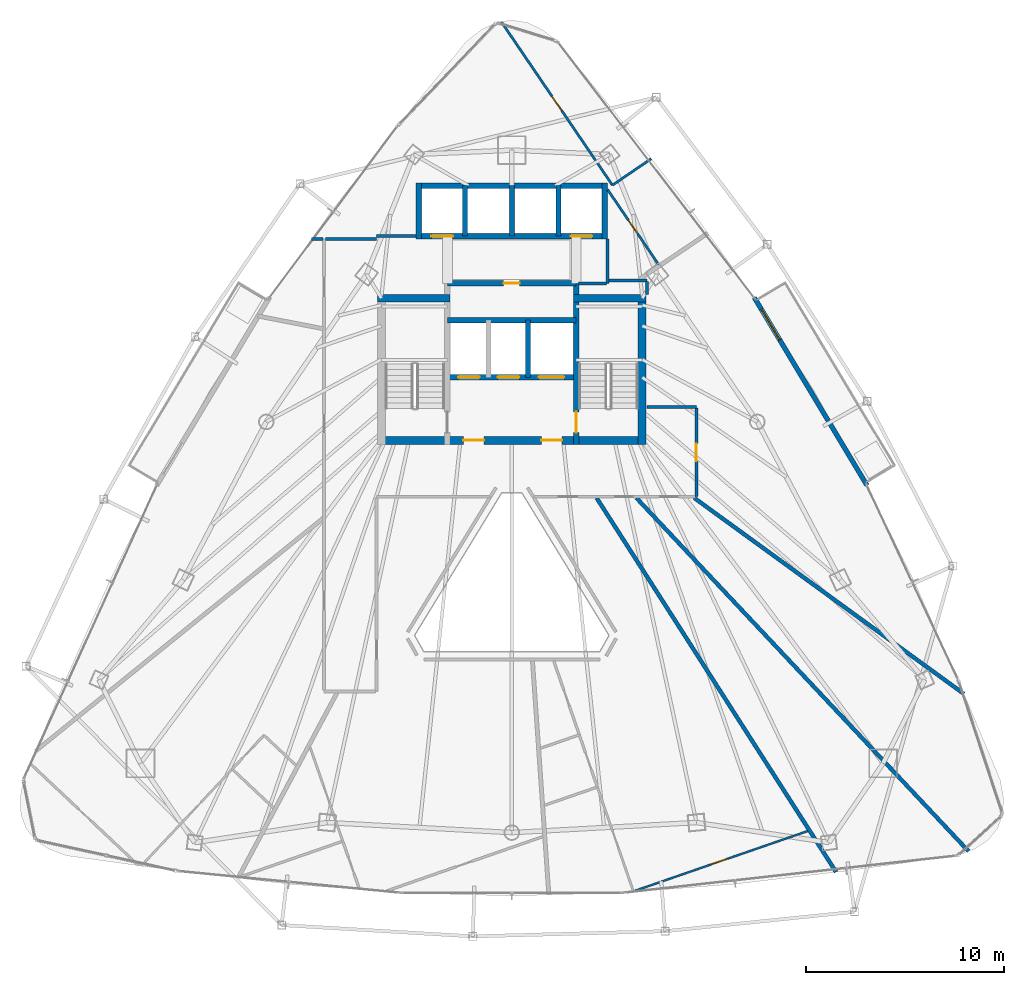
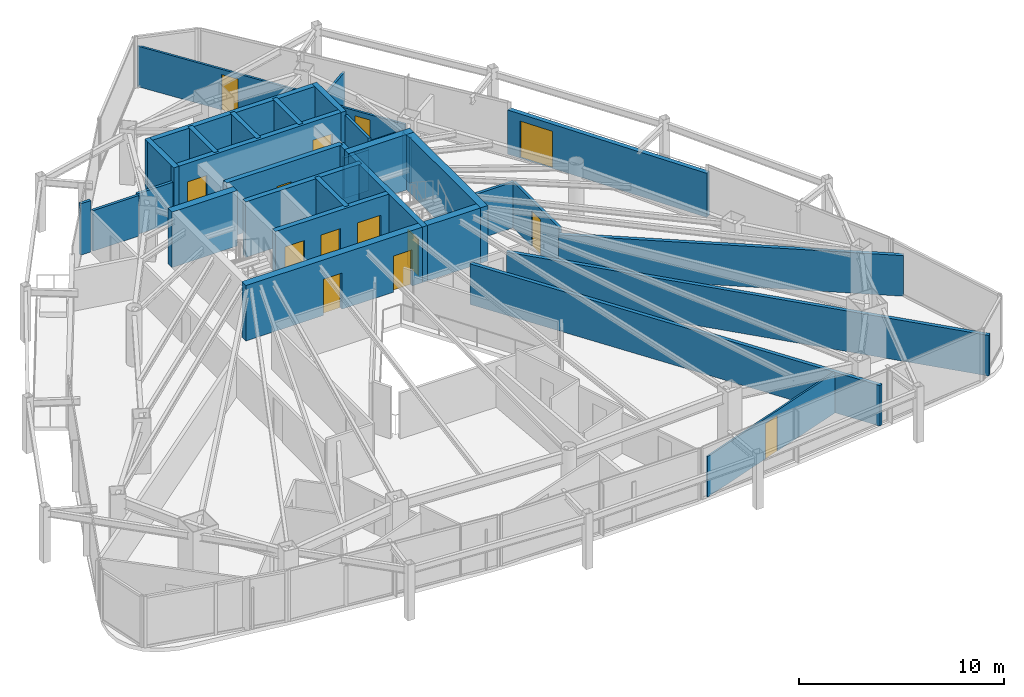
# One storey, part 25 of 29: 33 walls, 14 doors, 14 openings.
"""IFC4 building model written with IfcOpenShell, lengths in metres."""

from ifc_helpers import new_model, si_unit, direction, frame, frame_2d, origin, place, context, subcontext, project, spatial, rectangle, extrude, material, layer, layer_set, type_object, element, fill, save


model = new_model("IFC4")

# Units and contexts
model_context = context("Model", 3, precision=1e-05, world=origin(), true_north=direction((0.0, 1.0)))
body_context = subcontext(model_context, "Body", "Model", "MODEL_VIEW")
ifc_project = project(units=[si_unit("LENGTHUNIT", "METRE"), si_unit("AREAUNIT", "SQUARE_METRE"), si_unit("VOLUMEUNIT", "CUBIC_METRE"), si_unit("PLANEANGLEUNIT", "RADIAN"), si_unit("MASSUNIT", "GRAM", prefix="KILO")], contexts=[model_context])

# Site, building, storey
site_placement = place(None, origin())
site = spatial("IfcSite", under=ifc_project, at=site_placement, CompositionType="ELEMENT")
building_placement = place(site_placement, origin())
building = spatial("IfcBuilding", under=site, at=building_placement, Name="Orvanel Arch Residences", CompositionType="ELEMENT")
storey_placement = place(building_placement, frame((0.0, 0.0, 163.85009765625)))
storey = spatial("IfcBuildingStorey", under=building, at=storey_placement, Name="L46", CompositionType="ELEMENT", Elevation=163.85009765625)

# Wall, opening, door
ifc_material_1 = material(Name="Precast concrete N50 (50 MPa)", Category="concrete")
ifc_layer_1 = layer(ifc_material_1, 0.239990234375)
ifc_layer_set_1 = layer_set([ifc_layer_1], Name="Precast concrete N50 (50 MPa)")
wall_type_1 = type_object("IfcWallType", Name="EW-BAL-240", PredefinedType="SOLIDWALL", material=ifc_layer_set_1)
wall_1_placement = place(storey_placement, frame((50.987060546875, 24.4208984375, 0.0), z_axis=(0.0, 0.0, 1.0), x_axis=(-0.514334017412, 0.85758994778, 0.0)))
wall_1 = element("IfcWall", 1, at=wall_1_placement, inside=storey, type_object=wall_type_1, Name="L46 Balcony Threshold Wall Face 3", PredefinedType="SOLIDWALL", context=body_context, shape_type="SweptSolid", body=[
    extrude(rectangle(XDim=11.099853515625, YDim=0.239990234375, at=frame_2d((5.5498046875, 0.0))), origin(), (0.0, 0.0, 1.0), 2.6240234375),
])
opening_1_placement = place(wall_1_placement, frame((8.60205078125, 0.0, 0.0)))
opening_1 = element("IfcOpeningElement", 2, at=opening_1_placement, cuts=wall_1, Name="Opening DB-180", PredefinedType="OPENING", context=body_context, shape_type="SweptSolid", body=[
    extrude(rectangle(XDim=1.800048828125, YDim=2.199951171875, at=frame_2d((0.89990234375, 1.10009765625))), frame((0.0, 0.1298828125, 0.0), z_axis=(0.0, -1.0, 0.0), x_axis=(1.0, 0.0, 0.0)), (0.0, 0.0, 1.0), 0.260009765625),
])
ifc_material_2 = material(Name="Bronze-anodised aluminium AA6063-T6", Category="aluminium")
door_type_1 = type_object("IfcDoorType", Name="DR-BAL-1800", OperationType="NOTDEFINED", PredefinedType="DOOR", material=ifc_material_2)
door_1_placement = place(opening_1_placement, origin())
door_1 = element("IfcDoor", 3, at=door_1_placement, inside=storey, type_object=door_type_1, Name="DR-L46-BAL-F3 L46 Planted Balcony Access Door Face 3", OperationType="SINGLE_SWING_RIGHT", OverallHeight=2.199951171875, OverallWidth=1.800048828125, PredefinedType="DOOR", context=body_context, shape_type="SweptSolid", body=[
    extrude(rectangle(XDim=1.800048828125, YDim=2.199951171875, at=frame_2d((0.89990234375, 1.10009765625))), frame((0.0, 0.02490234375, 0.0), z_axis=(0.0, -1.0, 0.0), x_axis=(1.0, 0.0, 0.0)), (0.0, 0.0, 1.0), 0.050048828125),
])
fill(opening_1, door_1)

# Walls
ifc_material_3 = material(Name="Concrete N50 (50 MPa)", Category="concrete")
ifc_layer_2 = layer(ifc_material_3, 0.25)
ifc_layer_set_2 = layer_set([ifc_layer_2], Name="Concrete N50 (50 MPa)")
wall_type_2 = type_object("IfcWallType", Name="SW-CORE-250", PredefinedType="SHEAR", material=ifc_layer_set_2)
wall_2_placement = place(storey_placement, frame((33.824951171875, 29.889892578125, 0.0), z_axis=(0.0, 0.0, 1.0), x_axis=(0.0, 1.0, 0.0)))
element("IfcWall", 4, at=wall_2_placement, inside=storey, type_object=wall_type_2, Name="L46 Emergency Lift Inter-Shaft Wall F2G", PredefinedType="SHEAR", context=body_context, shape_type="SweptSolid", body=[
    extrude(rectangle(XDim=2.900146484375, YDim=0.25, at=frame_2d((1.4501953125, 0.0))), origin(), (0.0, 0.0, 1.0), 3.2998046875),
])
for number, where, z_axis, x_axis, name in (
    (5, (30.625, 37.050048828125, 0.0), (0.0, 0.0, 1.0), (0.0, 1.0, 0.0), "L46 Passenger Lift Inter-Shaft Wall P35"),
    (6, (33.0, 37.050048828125, 0.0), (0.0, 0.0, 1.0), (0.0, 1.0, 0.0), "L46 Passenger Lift Inter-Shaft Wall P56"),
    (7, (35.375, 37.050048828125, 0.0), (0.0, 0.0, 1.0), (0.0, 1.0, 0.0), "L46 Passenger Lift Inter-Shaft Wall P64"),
):
    element("IfcWall", number, at=place(storey_placement, frame(where, z_axis=z_axis, x_axis=x_axis)), inside=storey, type_object=wall_type_2, Name=name, PredefinedType="SHEAR", context=body_context, shape_type="SweptSolid", body=[
        extrude(rectangle(XDim=2.550048828125, YDim=0.25, at=frame_2d((1.27490234375, 0.0))), origin(), (0.0, 0.0, 1.0), 3.2998046875),
    ])

# Wall, opening, door
ifc_material_4 = material(Name="Concrete S65 (65 MPa)", Category="concrete")
ifc_layer_3 = layer(ifc_material_4, 0.280029296875)
ifc_layer_set_3 = layer_set([ifc_layer_3], Name="Concrete S65 (65 MPa)")
wall_type_3 = type_object("IfcWallType", Name="SW-CORE-280", PredefinedType="SHEAR", material=ifc_layer_set_3)
wall_3_placement = place(storey_placement, frame((36.260009765625, 26.5, 0.0), z_axis=(0.0, 0.0, 1.0), x_axis=(0.0, 1.0, 0.0)))
wall_3 = element("IfcWall", 8, at=wall_3_placement, inside=storey, type_object=wall_type_3, Name="L46 East Inner Core Spine Shear Wall", PredefinedType="SHEAR", context=body_context, shape_type="SweptSolid", body=[
    extrude(rectangle(XDim=8.14990234375, YDim=0.280029296875, at=frame_2d((4.074951171875, 0.0))), origin(), (0.0, 0.0, 1.0), 3.2998046875),
])
opening_2_placement = place(wall_3_placement, frame((0.60009765625, 0.0, 0.0)))
opening_2 = element("IfcOpeningElement", 9, at=opening_2_placement, cuts=wall_3, Name="Opening DF-120", PredefinedType="OPENING", context=body_context, shape_type="SweptSolid", body=[
    extrude(rectangle(XDim=1.050048828125, YDim=2.14990234375, at=frame_2d((0.52490234375, 1.074951171875))), frame((0.0, 0.14990234375, 0.0), z_axis=(0.0, -1.0, 0.0), x_axis=(1.0, 0.0, 0.0)), (0.0, 0.0, 1.0), 0.300048828125),
])
ifc_material_5 = material(Name="Galvanised steel fire-resisting door assembly", Category="steel")
door_type_2 = type_object("IfcDoorType", Name="DR-FD120-1050", OperationType="NOTDEFINED", PredefinedType="DOOR", material=ifc_material_5)
door_2_placement = place(opening_2_placement, origin())
door_2 = element("IfcDoor", 10, at=door_2_placement, inside=storey, type_object=door_type_2, Name="DR-L46-ST2 L46 Stair 2 Fire Door", OperationType="SINGLE_SWING_RIGHT", OverallHeight=2.14990234375, OverallWidth=1.050048828125, PredefinedType="DOOR", context=body_context, shape_type="SweptSolid", body=[
    extrude(rectangle(XDim=1.050048828125, YDim=2.14990234375, at=frame_2d((0.52490234375, 1.074951171875))), frame((0.0, 0.02490234375, 0.0), z_axis=(0.0, -1.0, 0.0), x_axis=(1.0, 0.0, 0.0)), (0.0, 0.0, 1.0), 0.050048828125),
])
fill(opening_2, door_2)

# Wall, openings, doors
wall_4_placement = place(storey_placement, frame((36.260009765625, 29.889892578125, 0.0), z_axis=(0.0, 0.0, 1.0), x_axis=(-1.0, 0.0, 0.0)))
wall_4 = element("IfcWall", 11, at=wall_4_placement, inside=storey, type_object=wall_type_3, Name="L46 Emergency Lift Front Core Shear Wall", PredefinedType="SHEAR", context=body_context, shape_type="SweptSolid", body=[
    extrude(rectangle(XDim=6.52001953125, YDim=0.280029296875, at=frame_2d((3.260009765625, 0.0))), origin(), (0.0, 0.0, 1.0), 3.2998046875),
])
opening_3_placement = place(wall_4_placement, frame((4.875, 0.0, 0.0)))
opening_3 = element("IfcOpeningElement", 12, at=opening_3_placement, cuts=wall_4, Name="Opening LD-110", PredefinedType="OPENING", context=body_context, shape_type="SweptSolid", body=[
    extrude(rectangle(XDim=1.10009765625, YDim=2.199951171875, at=frame_2d((0.550048828125, 1.10009765625))), frame((0.0, 0.14990234375, 0.0), z_axis=(0.0, -1.0, 0.0), x_axis=(1.0, 0.0, 0.0)), (0.0, 0.0, 1.0), 0.300048828125),
])
opening_4_placement = place(wall_4_placement, frame((2.875, 0.0, 0.0)))
opening_4 = element("IfcOpeningElement", 13, at=opening_4_placement, cuts=wall_4, Name="Opening LD-110", PredefinedType="OPENING", context=body_context, shape_type="SweptSolid", body=[
    extrude(rectangle(XDim=1.10009765625, YDim=2.199951171875, at=frame_2d((0.550048828125, 1.10009765625))), frame((0.0, 0.14990234375, 0.0), z_axis=(0.0, -1.0, 0.0), x_axis=(1.0, 0.0, 0.0)), (0.0, 0.0, 1.0), 0.300048828125),
])
opening_5_placement = place(wall_4_placement, frame((0.60009765625, 0.0, 0.0)))
opening_5 = element("IfcOpeningElement", 14, at=opening_5_placement, cuts=wall_4, Name="Opening LD-130", PredefinedType="OPENING", context=body_context, shape_type="SweptSolid", body=[
    extrude(rectangle(XDim=1.300048828125, YDim=2.199951171875, at=frame_2d((0.64990234375, 1.10009765625))), frame((0.0, 0.14990234375, 0.0), z_axis=(0.0, -1.0, 0.0), x_axis=(1.0, 0.0, 0.0)), (0.0, 0.0, 1.0), 0.300048828125),
])
door_type_3 = type_object("IfcDoorType", Name="DR-LFT-1100", OperationType="NOTDEFINED", PredefinedType="DOOR", material=ifc_material_5)
door_3_placement = place(opening_3_placement, origin())
door_3 = element("IfcDoor", 15, at=door_3_placement, inside=storey, type_object=door_type_3, Name="LD-F1-L46 L46 Lift F1 Sliding Landing Door", OperationType="DOUBLE_DOOR_SLIDING", OverallHeight=2.199951171875, OverallWidth=1.10009765625, PredefinedType="DOOR", context=body_context, shape_type="SweptSolid", body=[
    extrude(rectangle(XDim=1.10009765625, YDim=2.199951171875, at=frame_2d((0.550048828125, 1.10009765625))), frame((0.0, 0.02490234375, 0.0), z_axis=(0.0, -1.0, 0.0), x_axis=(1.0, 0.0, 0.0)), (0.0, 0.0, 1.0), 0.050048828125),
])
fill(opening_3, door_3)
door_4_placement = place(opening_4_placement, origin())
door_4 = element("IfcDoor", 16, at=door_4_placement, inside=storey, type_object=door_type_3, Name="LD-F2-L46 L46 Lift F2 Sliding Landing Door", OperationType="DOUBLE_DOOR_SLIDING", OverallHeight=2.199951171875, OverallWidth=1.10009765625, PredefinedType="DOOR", context=body_context, shape_type="SweptSolid", body=[
    extrude(rectangle(XDim=1.10009765625, YDim=2.199951171875, at=frame_2d((0.550048828125, 1.10009765625))), frame((0.0, 0.02490234375, 0.0), z_axis=(0.0, -1.0, 0.0), x_axis=(1.0, 0.0, 0.0)), (0.0, 0.0, 1.0), 0.050048828125),
])
fill(opening_4, door_4)
door_type_4 = type_object("IfcDoorType", Name="DR-LFT-1300", OperationType="NOTDEFINED", PredefinedType="DOOR", material=ifc_material_5)
door_5_placement = place(opening_5_placement, origin())
door_5 = element("IfcDoor", 17, at=door_5_placement, inside=storey, type_object=door_type_4, Name="LD-G1-L46 L46 Lift G1 Sliding Landing Door", OperationType="DOUBLE_DOOR_SLIDING", OverallHeight=2.199951171875, OverallWidth=1.300048828125, PredefinedType="DOOR", context=body_context, shape_type="SweptSolid", body=[
    extrude(rectangle(XDim=1.300048828125, YDim=2.199951171875, at=frame_2d((0.64990234375, 1.10009765625))), frame((0.0, 0.02490234375, 0.0), z_axis=(0.0, -1.0, 0.0), x_axis=(1.0, 0.0, 0.0)), (0.0, 0.0, 1.0), 0.050048828125),
])
fill(opening_5, door_5)

# Wall
wall_5_placement = place(storey_placement, frame((29.739990234375, 32.7900390625, 0.0), z_axis=(0.0, 0.0, 1.0), x_axis=(1.0, 0.0, 0.0)))
element("IfcWall", 18, at=wall_5_placement, inside=storey, type_object=wall_type_3, Name="L46 Emergency Lift Back Core Shear Wall", PredefinedType="SHEAR", context=body_context, shape_type="SweptSolid", body=[
    extrude(rectangle(XDim=6.52001953125, YDim=0.280029296875, at=frame_2d((3.260009765625, 0.0))), origin(), (0.0, 0.0, 1.0), 3.2998046875),
])

# Wall, opening, door
wall_6_placement = place(storey_placement, frame((29.739990234375, 34.64990234375, 0.0), z_axis=(0.0, 0.0, 1.0), x_axis=(1.0, 0.0, 0.0)))
wall_6 = element("IfcWall", 19, at=wall_6_placement, inside=storey, type_object=wall_type_3, Name="L46 Core Service Band North Shear Wall", PredefinedType="SHEAR", context=body_context, shape_type="SweptSolid", body=[
    extrude(rectangle(XDim=6.52001953125, YDim=0.280029296875, at=frame_2d((3.260009765625, 0.0))), origin(), (0.0, 0.0, 1.0), 3.2998046875),
])
opening_6_placement = place(wall_6_placement, frame((2.840087890625, 0.0, 0.0)))
opening_6 = element("IfcOpeningElement", 20, at=opening_6_placement, cuts=wall_6, Name="Opening DS-082", PredefinedType="OPENING", context=body_context, shape_type="SweptSolid", body=[
    extrude(rectangle(XDim=0.820068359375, YDim=2.10009765625, at=frame_2d((0.41015625, 1.050048828125))), frame((0.0, 0.14990234375, 0.0), z_axis=(0.0, -1.0, 0.0), x_axis=(1.0, 0.0, 0.0)), (0.0, 0.0, 1.0), 0.300048828125),
])
door_type_5 = type_object("IfcDoorType", Name="DR-SVC-820", OperationType="NOTDEFINED", PredefinedType="DOOR", material=ifc_material_5)
door_6_placement = place(opening_6_placement, origin())
door_6 = element("IfcDoor", 21, at=door_6_placement, inside=storey, type_object=door_type_5, Name="DR-L46-CSVC-1 L46 Housekeeping Linen Store Door", OperationType="SINGLE_SWING_LEFT", OverallHeight=2.10009765625, OverallWidth=0.820068359375, PredefinedType="DOOR", context=body_context, shape_type="SweptSolid", body=[
    extrude(rectangle(XDim=0.820068359375, YDim=2.10009765625, at=frame_2d((0.41015625, 1.050048828125))), frame((0.0, 0.02490234375, 0.0), z_axis=(0.0, -1.0, 0.0), x_axis=(1.0, 0.0, 0.0)), (0.0, 0.0, 1.0), 0.050048828125),
])
fill(opening_6, door_6)

# Wall, openings, doors
wall_7_placement = place(storey_placement, frame((37.840087890625, 37.050048828125, 0.0), z_axis=(0.0, 0.0, 1.0), x_axis=(-1.0, 0.0, 0.0)))
wall_7 = element("IfcWall", 22, at=wall_7_placement, inside=storey, type_object=wall_type_3, Name="L46 Passenger Lift Bank Front Shear Wall", PredefinedType="SHEAR", context=body_context, shape_type="SweptSolid", body=[
    extrude(rectangle(XDim=9.68017578125, YDim=0.280029296875, at=frame_2d((4.840087890625, 0.0))), origin(), (0.0, 0.0, 1.0), 3.2998046875),
])
opening_7_placement = place(wall_7_placement, frame((7.81494140625, 0.0, 0.0)))
opening_7 = element("IfcOpeningElement", 23, at=opening_7_placement, cuts=wall_7, Name="Opening LD-110", PredefinedType="OPENING", context=body_context, shape_type="SweptSolid", body=[
    extrude(rectangle(XDim=1.10009765625, YDim=2.199951171875, at=frame_2d((0.550048828125, 1.10009765625))), frame((0.0, 0.14990234375, 0.0), z_axis=(0.0, -1.0, 0.0), x_axis=(1.0, 0.0, 0.0)), (0.0, 0.0, 1.0), 0.300048828125),
])
opening_8_placement = place(wall_7_placement, frame((0.764892578125, 0.0, 0.0)))
opening_8 = element("IfcOpeningElement", 24, at=opening_8_placement, cuts=wall_7, Name="Opening LD-110", PredefinedType="OPENING", context=body_context, shape_type="SweptSolid", body=[
    extrude(rectangle(XDim=1.10009765625, YDim=2.199951171875, at=frame_2d((0.550048828125, 1.10009765625))), frame((0.0, 0.14990234375, 0.0), z_axis=(0.0, -1.0, 0.0), x_axis=(1.0, 0.0, 0.0)), (0.0, 0.0, 1.0), 0.300048828125),
])
door_7_placement = place(opening_7_placement, origin())
door_7 = element("IfcDoor", 25, at=door_7_placement, inside=storey, type_object=door_type_3, Name="LD-P3-L46 L46 Passenger Lift P3 Sliding Landing Door", OperationType="DOUBLE_DOOR_SLIDING", OverallHeight=2.199951171875, OverallWidth=1.10009765625, PredefinedType="DOOR", context=body_context, shape_type="SweptSolid", body=[
    extrude(rectangle(XDim=1.10009765625, YDim=2.199951171875, at=frame_2d((0.550048828125, 1.10009765625))), frame((0.0, 0.02490234375, 0.0), z_axis=(0.0, -1.0, 0.0), x_axis=(1.0, 0.0, 0.0)), (0.0, 0.0, 1.0), 0.050048828125),
])
fill(opening_7, door_7)
door_8_placement = place(opening_8_placement, origin())
door_8 = element("IfcDoor", 26, at=door_8_placement, inside=storey, type_object=door_type_3, Name="LD-P4-L46 L46 Passenger Lift P4 Sliding Landing Door", OperationType="DOUBLE_DOOR_SLIDING", OverallHeight=2.199951171875, OverallWidth=1.10009765625, PredefinedType="DOOR", context=body_context, shape_type="SweptSolid", body=[
    extrude(rectangle(XDim=1.10009765625, YDim=2.199951171875, at=frame_2d((0.550048828125, 1.10009765625))), frame((0.0, 0.02490234375, 0.0), z_axis=(0.0, -1.0, 0.0), x_axis=(1.0, 0.0, 0.0)), (0.0, 0.0, 1.0), 0.050048828125),
])
fill(opening_8, door_8)

# Walls
wall_8_placement = place(storey_placement, frame((28.159912109375, 39.60009765625, 0.0), z_axis=(0.0, 0.0, 1.0), x_axis=(1.0, 0.0, 0.0)))
element("IfcWall", 27, at=wall_8_placement, inside=storey, type_object=wall_type_3, Name="L46 Passenger Lift Bank North Shear Wall", PredefinedType="SHEAR", context=body_context, shape_type="SweptSolid", body=[
    extrude(rectangle(XDim=9.68017578125, YDim=0.280029296875, at=frame_2d((4.840087890625, 0.0))), origin(), (0.0, 0.0, 1.0), 3.2998046875),
])
for number, where, z_axis, x_axis, name in (
    (28, (28.300048828125, 36.909912109375, 0.0), (0.0, 0.0, 1.0), (0.0, 1.0, 0.0), "L46 Passenger Lift Bank West Shear Wall"),
    (29, (37.699951171875, 36.909912109375, 0.0), (0.0, 0.0, 1.0), (0.0, 1.0, 0.0), "L46 Passenger Lift Bank East Shear Wall"),
):
    element("IfcWall", number, at=place(storey_placement, frame(where, z_axis=z_axis, x_axis=x_axis)), inside=storey, type_object=wall_type_3, Name=name, PredefinedType="SHEAR", context=body_context, shape_type="SweptSolid", body=[
        extrude(rectangle(XDim=2.830078125, YDim=0.280029296875, at=frame_2d((1.4150390625, 0.0))), origin(), (0.0, 0.0, 1.0), 3.2998046875),
    ])

# Wall, openings, doors
ifc_layer_4 = layer(ifc_material_4, 0.39990234375)
ifc_layer_set_4 = layer_set([ifc_layer_4], Name="Concrete S65 (65 MPa)")
wall_type_4 = type_object("IfcWallType", Name="SW-CORE-400", PredefinedType="SHEAR", material=ifc_layer_set_4)
wall_9_placement = place(storey_placement, frame((26.199951171875, 26.699951171875, 0.0), z_axis=(0.0, 0.0, 1.0), x_axis=(1.0, 0.0, 0.0)))
wall_9 = element("IfcWall", 30, at=wall_9_placement, inside=storey, type_object=wall_type_4, Name="L46 South Core Shear Wall", PredefinedType="SHEAR", context=body_context, shape_type="SweptSolid", body=[
    extrude(rectangle(XDim=13.60009765625, YDim=0.39990234375, at=frame_2d((6.800048828125, 0.0))), origin(), (0.0, 0.0, 1.0), 3.2998046875),
])
opening_9_placement = place(wall_9_placement, frame((4.35009765625, 0.0, 0.0)))
opening_9 = element("IfcOpeningElement", 31, at=opening_9_placement, cuts=wall_9, Name="Opening DF-060", PredefinedType="OPENING", context=body_context, shape_type="SweptSolid", body=[
    extrude(rectangle(XDim=1.050048828125, YDim=2.14990234375, at=frame_2d((0.52490234375, 1.074951171875))), frame((0.0, 0.2099609375, 0.0), z_axis=(0.0, -1.0, 0.0), x_axis=(1.0, 0.0, 0.0)), (0.0, 0.0, 1.0), 0.419921875),
])
opening_10_placement = place(wall_9_placement, frame((8.300048828125, 0.0, 0.0)))
opening_10 = element("IfcOpeningElement", 32, at=opening_10_placement, cuts=wall_9, Name="Opening DF-060", PredefinedType="OPENING", context=body_context, shape_type="SweptSolid", body=[
    extrude(rectangle(XDim=1.050048828125, YDim=2.14990234375, at=frame_2d((0.52490234375, 1.074951171875))), frame((0.0, 0.2099609375, 0.0), z_axis=(0.0, -1.0, 0.0), x_axis=(1.0, 0.0, 0.0)), (0.0, 0.0, 1.0), 0.419921875),
])
door_type_6 = type_object("IfcDoorType", Name="DR-FD60-1050", OperationType="NOTDEFINED", PredefinedType="DOOR", material=ifc_material_5)
door_9_placement = place(opening_9_placement, origin())
door_9 = element("IfcDoor", 33, at=door_9_placement, inside=storey, type_object=door_type_6, Name="DR-L46-FFL-W L46 West Smoke Lobby Door", OperationType="SINGLE_SWING_LEFT", OverallHeight=2.14990234375, OverallWidth=1.050048828125, PredefinedType="DOOR", context=body_context, shape_type="SweptSolid", body=[
    extrude(rectangle(XDim=1.050048828125, YDim=2.14990234375, at=frame_2d((0.52490234375, 1.074951171875))), frame((0.0, 0.02490234375, 0.0), z_axis=(0.0, -1.0, 0.0), x_axis=(1.0, 0.0, 0.0)), (0.0, 0.0, 1.0), 0.050048828125),
])
fill(opening_9, door_9)
door_10_placement = place(opening_10_placement, origin())
door_10 = element("IfcDoor", 34, at=door_10_placement, inside=storey, type_object=door_type_6, Name="DR-L46-FFL-E L46 East Smoke Lobby Door", OperationType="SINGLE_SWING_RIGHT", OverallHeight=2.14990234375, OverallWidth=1.050048828125, PredefinedType="DOOR", context=body_context, shape_type="SweptSolid", body=[
    extrude(rectangle(XDim=1.050048828125, YDim=2.14990234375, at=frame_2d((0.52490234375, 1.074951171875))), frame((0.0, 0.02490234375, 0.0), z_axis=(0.0, -1.0, 0.0), x_axis=(1.0, 0.0, 0.0)), (0.0, 0.0, 1.0), 0.050048828125),
])
fill(opening_10, door_10)

# Walls
wall_10_placement = place(storey_placement, frame((26.199951171875, 33.89990234375, 0.0), z_axis=(0.0, 0.0, 1.0), x_axis=(1.0, 0.0, 0.0)))
element("IfcWall", 35, at=wall_10_placement, inside=storey, type_object=wall_type_4, Name="L46 West Stair North Shear Wall", PredefinedType="SHEAR", context=body_context, shape_type="SweptSolid", body=[
    extrude(rectangle(XDim=3.679931640625, YDim=0.39990234375, at=frame_2d((1.83984375, 0.0))), origin(), (0.0, 0.0, 1.0), 3.2998046875),
])
wall_11_placement = place(storey_placement, frame((39.60009765625, 26.5, 0.0), z_axis=(0.0, 0.0, 1.0), x_axis=(0.0, 1.0, 0.0)))
element("IfcWall", 36, at=wall_11_placement, inside=storey, type_object=wall_type_4, Name="L46 East Stair Shear Wall", PredefinedType="SHEAR", context=body_context, shape_type="SweptSolid", body=[
    extrude(rectangle(XDim=7.60009765625, YDim=0.39990234375, at=frame_2d((3.800048828125, 0.0))), origin(), (0.0, 0.0, 1.0), 3.2998046875),
])
wall_12_placement = place(storey_placement, frame((36.1201171875, 33.89990234375, 0.0), z_axis=(0.0, 0.0, 1.0), x_axis=(1.0, 0.0, 0.0)))
element("IfcWall", 37, at=wall_12_placement, inside=storey, type_object=wall_type_4, Name="L46 East Stair North Shear Wall", PredefinedType="SHEAR", context=body_context, shape_type="SweptSolid", body=[
    extrude(rectangle(XDim=3.679931640625, YDim=0.39990234375, at=frame_2d((1.83984375, 0.0))), origin(), (0.0, 0.0, 1.0), 3.2998046875),
])
ifc_material_6 = material(Name="Fire-rated plasterboard lined steel stud partition", Category="steel")
ifc_layer_5 = layer(ifc_material_6, 0.14990234375)
ifc_layer_set_5 = layer_set([ifc_layer_5], Name="Fire-rated plasterboard lined steel stud partition")
wall_type_5 = type_object("IfcWallType", Name="W-COR-150", PredefinedType="PARTITIONING", material=ifc_layer_set_5)
wall_13_placement = place(storey_placement, frame((37.85009765625, 34.64990234375, 0.0), z_axis=(0.0, 0.0, 1.0), x_axis=(0.0, 1.0, 0.0)))
element("IfcWall", 38, at=wall_13_placement, inside=storey, type_object=wall_type_5, Name="L46 Passenger Lift Lobby East Closure Wall", PredefinedType="PARTITIONING", context=body_context, shape_type="SweptSolid", body=[
    extrude(rectangle(XDim=2.260009765625, YDim=0.14990234375, at=frame_2d((1.1298828125, 0.0))), origin(), (0.0, 0.0, 1.0), 3.059814453125),
])
wall_14_placement = place(storey_placement, frame((36.385009765625, 34.64990234375, 0.0), z_axis=(0.0, 0.0, 1.0), x_axis=(1.0, 0.0, 0.0)))
element("IfcWall", 39, at=wall_14_placement, inside=storey, type_object=wall_type_5, Name="L46 Passenger Lift Lobby South-East Wall", PredefinedType="PARTITIONING", context=body_context, shape_type="SweptSolid", body=[
    extrude(rectangle(XDim=1.405029296875, YDim=0.14990234375, at=frame_2d((0.70263671875, 0.0))), origin(), (0.0, 0.0, 1.0), 2.4248046875),
])
wall_15_placement = place(storey_placement, frame((22.864990234375, 36.89990234375, 0.0), z_axis=(0.0, 0.0, 1.0), x_axis=(1.0, 0.0, 0.0)))
element("IfcWall", 40, at=wall_15_placement, inside=storey, type_object=wall_type_5, Name="L46 Corridor Fire-Rated Partition", PredefinedType="PARTITIONING", context=body_context, shape_type="SweptSolid", body=[
    extrude(rectangle(XDim=0.574951171875, YDim=0.14990234375, at=frame_2d((0.28759765625, 0.0))), origin(), (0.0, 0.0, 1.0), 3.059814453125),
])
wall_16_placement = place(storey_placement, frame((23.56005859375, 36.89990234375, 0.0), z_axis=(0.0, 0.0, 1.0), x_axis=(1.0, 0.0, 0.0)))
element("IfcWall", 41, at=wall_16_placement, inside=storey, type_object=wall_type_5, Name="L46 Corridor Fire-Rated Partition", PredefinedType="PARTITIONING", context=body_context, shape_type="SweptSolid", body=[
    extrude(rectangle(XDim=2.58984375, YDim=0.14990234375, at=frame_2d((1.294921875, 0.0))), origin(), (0.0, 0.0, 1.0), 2.412841796875),
])
wall_17_placement = place(storey_placement, frame((39.85009765625, 28.39990234375, 0.0), z_axis=(0.0, 0.0, 1.0), x_axis=(1.0, 0.0, 0.0)))
element("IfcWall", 42, at=wall_17_placement, inside=storey, type_object=wall_type_5, Name="L46 Corridor Fire-Rated Partition", PredefinedType="PARTITIONING", context=body_context, shape_type="SweptSolid", body=[
    extrude(rectangle(XDim=2.5, YDim=0.14990234375, at=frame_2d((1.25, 0.0))), origin(), (0.0, 0.0, 1.0), 2.720947265625),
])

# Wall, opening, door
wall_18_placement = place(storey_placement, frame((42.35009765625, 28.340087890625, 0.0), z_axis=(0.0, 0.0, 1.0), x_axis=(0.0, -1.0, 0.0)))
wall_18 = element("IfcWall", 43, at=wall_18_placement, inside=storey, type_object=wall_type_5, Name="L46 Corridor Fire-Rated Partition", PredefinedType="PARTITIONING", context=body_context, shape_type="SweptSolid", body=[
    extrude(rectangle(XDim=4.489990234375, YDim=0.14990234375, at=frame_2d((2.2451171875, 0.0))), origin(), (0.0, 0.0, 1.0), 2.720947265625),
])
opening_11_placement = place(wall_18_placement, frame((1.804931640625, 0.0, 0.0)))
opening_11 = element("IfcOpeningElement", 44, at=opening_11_placement, cuts=wall_18, Name="Opening DI-088", PredefinedType="OPENING", context=body_context, shape_type="SweptSolid", body=[
    extrude(rectangle(XDim=0.8798828125, YDim=2.10009765625, at=frame_2d((0.43994140625, 1.050048828125))), frame((0.0, 0.0849609375, 0.0), z_axis=(0.0, -1.0, 0.0), x_axis=(1.0, 0.0, 0.0)), (0.0, 0.0, 1.0), 0.169921875),
])
ifc_material_7 = material(Name="Solid-core European oak veneer fire door leaf", Category="wood")
door_type_7 = type_object("IfcDoorType", Name="DR-INT-880", OperationType="NOTDEFINED", PredefinedType="DOOR", material=ifc_material_7)
door_11_placement = place(opening_11_placement, origin())
door_11 = element("IfcDoor", 45, at=door_11_placement, inside=storey, type_object=door_type_7, Name="DR-L46-SHRD-FB4 L46 Co-Working Study Office D Door", OperationType="SINGLE_SWING_LEFT", OverallHeight=2.10009765625, OverallWidth=0.8798828125, PredefinedType="DOOR", context=body_context, shape_type="SweptSolid", body=[
    extrude(rectangle(XDim=0.8798828125, YDim=2.10009765625, at=frame_2d((0.43994140625, 1.050048828125))), frame((0.0, 0.02490234375, 0.0), z_axis=(0.0, -1.0, 0.0), x_axis=(1.0, 0.0, 0.0)), (0.0, 0.0, 1.0), 0.050048828125),
])
fill(opening_11, door_11)

# Walls
wall_19_placement = place(storey_placement, frame((26.14990234375, 37.050048828125, 0.0), z_axis=(0.0, 0.0, 1.0), x_axis=(1.0, 0.0, 0.0)))
element("IfcWall", 46, at=wall_19_placement, inside=storey, type_object=wall_type_5, Name="L46 Core Perimeter Partition", PredefinedType="PARTITIONING", context=body_context, shape_type="SweptSolid", body=[
    extrude(rectangle(XDim=2.0, YDim=0.14990234375, at=frame_2d((1.0, 0.0))), origin(), (0.0, 0.0, 1.0), 2.412841796875),
])
wall_20_placement = place(storey_placement, frame((37.909912109375, 34.800048828125, 0.0), z_axis=(0.0, 0.0, 1.0), x_axis=(1.0, 0.0, 0.0)))
element("IfcWall", 47, at=wall_20_placement, inside=storey, type_object=wall_type_5, Name="L46 Core Perimeter Partition", PredefinedType="PARTITIONING", context=body_context, shape_type="SweptSolid", body=[
    extrude(rectangle(XDim=1.940185546875, YDim=0.14990234375, at=frame_2d((0.97021484375, 0.0))), origin(), (0.0, 0.0, 1.0), 2.720947265625),
])
wall_21_placement = place(storey_placement, frame((39.85009765625, 34.739990234375, 0.0), z_axis=(0.0, 0.0, 1.0), x_axis=(0.0, -1.0, 0.0)))
element("IfcWall", 48, at=wall_21_placement, inside=storey, type_object=wall_type_5, Name="L46 Core Perimeter Partition", PredefinedType="PARTITIONING", context=body_context, shape_type="SweptSolid", body=[
    extrude(rectangle(XDim=0.639892578125, YDim=0.14990234375, at=frame_2d((0.31982421875, 0.0))), origin(), (0.0, 0.0, 1.0), 2.720947265625),
])
ifc_layer_6 = layer(ifc_material_6, 0.199951171875)
ifc_layer_set_6 = layer_set([ifc_layer_6], Name="Fire-rated plasterboard lined steel stud partition")
wall_type_6 = type_object("IfcWallType", Name="W-DEM-200", PredefinedType="PARTITIONING", material=ifc_layer_set_6)
wall_22_placement = place(storey_placement, frame((37.294921875, 23.7900390625, 0.0), z_axis=(0.0, 0.0, 1.0), x_axis=(0.539100523601, -0.842241429433, 0.0)))
element("IfcWall", 49, at=wall_22_placement, inside=storey, type_object=wall_type_6, Name="L46 Inter-Tenancy Acoustic Demising Wall", PredefinedType="PARTITIONING", context=body_context, shape_type="SweptSolid", body=[
    extrude(rectangle(XDim=22.487548828125, YDim=0.199951171875, at=frame_2d((11.24365234375, 0.0))), origin(), (0.0, 0.0, 1.0), 2.412841796875),
])
wall_23_placement = place(storey_placement, frame((55.89599609375, 13.864990234375, 0.0), z_axis=(0.0, 0.0, 1.0), x_axis=(-0.809001736781, 0.587806251995, 0.0)))
element("IfcWall", 50, at=wall_23_placement, inside=storey, type_object=wall_type_6, Name="L46 Inter-Tenancy Acoustic Demising Wall", PredefinedType="PARTITIONING", context=body_context, shape_type="SweptSolid", body=[
    extrude(rectangle(XDim=16.885009765625, YDim=0.199951171875, at=frame_2d((8.4423828125, 0.0))), origin(), (0.0, 0.0, 1.0), 2.412841796875),
])
wall_24_placement = place(storey_placement, frame((56.1220703125, 5.904052734375, 0.0), z_axis=(0.0, 0.0, 1.0), x_axis=(-0.684934612975, 0.728604540165, 0.0)))
element("IfcWall", 51, at=wall_24_placement, inside=storey, type_object=wall_type_6, Name="L46 Inter-Tenancy Acoustic Demising Wall", PredefinedType="PARTITIONING", context=body_context, shape_type="SweptSolid", body=[
    extrude(rectangle(XDim=24.54833984375, YDim=0.199951171875, at=frame_2d((12.274169921875, 0.0))), origin(), (0.0, 0.0, 1.0), 2.412841796875),
])

# Wall, opening, door
ifc_material_8 = material(Name="Acoustic plasterboard lined twin-stud partition", Category="gypsum")
ifc_layer_7 = layer(ifc_material_8, 0.10009765625)
ifc_layer_set_7 = layer_set([ifc_layer_7], Name="Acoustic plasterboard lined twin-stud partition")
wall_type_7 = type_object("IfcWallType", Name="W-INT-100", PredefinedType="PARTITIONING", material=ifc_layer_set_7)
wall_25_placement = place(storey_placement, frame((47.988037109375, 6.926025390625, 0.0), z_axis=(0.0, 0.0, 1.0), x_axis=(-0.945100175753, -0.326780748809, 0.0)))
wall_25 = element("IfcWall", 52, at=wall_25_placement, inside=storey, type_object=wall_type_7, Name="L46 Flat A Internal Partition", PredefinedType="PARTITIONING", context=body_context, shape_type="SweptSolid", body=[
    extrude(rectangle(XDim=9.48388671875, YDim=0.10009765625, at=frame_2d((4.741943359375, 0.0))), origin(), (0.0, 0.0, 1.0), 2.412841796875),
])
opening_12_placement = place(wall_25_placement, frame((4.302001953125, 0.0, 0.0)))
opening_12 = element("IfcOpeningElement", 53, at=opening_12_placement, cuts=wall_25, Name="Opening DI-088", PredefinedType="OPENING", context=body_context, shape_type="SweptSolid", body=[
    extrude(rectangle(XDim=0.8798828125, YDim=2.10009765625, at=frame_2d((0.43994140625, 1.050048828125))), frame((0.0, 0.06005859375, 0.0), z_axis=(0.0, -1.0, 0.0), x_axis=(1.0, 0.0, 0.0)), (0.0, 0.0, 1.0), 0.1201171875),
])
door_12_placement = place(opening_12_placement, origin())
door_12 = element("IfcDoor", 54, at=door_12_placement, inside=storey, type_object=door_type_7, Name="DR-L46-A-CAR2 L46 Flat A Allied Health Consulting Room 1 Door", OperationType="SINGLE_SWING_LEFT", OverallHeight=2.10009765625, OverallWidth=0.8798828125, PredefinedType="DOOR", context=body_context, shape_type="SweptSolid", body=[
    extrude(rectangle(XDim=0.8798828125, YDim=2.10009765625, at=frame_2d((0.43994140625, 1.050048828125))), frame((0.0, 0.02490234375, 0.0), z_axis=(0.0, -1.0, 0.0), x_axis=(1.0, 0.0, 0.0)), (0.0, 0.0, 1.0), 0.050048828125),
])
fill(opening_12, door_12)

ifc_layer_8 = layer(ifc_material_8, 0.1201171875)
ifc_layer_set_8 = layer_set([ifc_layer_8], Name="Acoustic plasterboard lined twin-stud partition")
wall_type_8 = type_object("IfcWallType", Name="W-WET-120", PredefinedType="PARTITIONING", material=ifc_layer_set_8)
wall_26_placement = place(storey_placement, frame((40.427001953125, 35.612060546875, 0.0), z_axis=(0.0, 0.0, 1.0), x_axis=(-0.562385802303, 0.826874965982, 0.0)))
wall_26 = element("IfcWall", 55, at=wall_26_placement, inside=storey, type_object=wall_type_8, Name="L46 Studio F Bathroom Partition", PredefinedType="PARTITIONING", context=body_context, shape_type="SweptSolid", body=[
    extrude(rectangle(XDim=4.58203125, YDim=0.1201171875, at=frame_2d((2.291015625, 0.0))), origin(), (0.0, 0.0, 1.0), 2.412841796875),
])
opening_13_placement = place(wall_26_placement, frame((1.881103515625, 0.0, 0.0)))
opening_13 = element("IfcOpeningElement", 56, at=opening_13_placement, cuts=wall_26, Name="Opening DW-082", PredefinedType="OPENING", context=body_context, shape_type="SweptSolid", body=[
    extrude(rectangle(XDim=0.820068359375, YDim=2.10009765625, at=frame_2d((0.41015625, 1.050048828125))), frame((0.0, 0.070068359375, 0.0), z_axis=(0.0, -1.0, 0.0), x_axis=(1.0, 0.0, 0.0)), (0.0, 0.0, 1.0), 0.14013671875),
])
door_type_8 = type_object("IfcDoorType", Name="DR-WET-820", OperationType="NOTDEFINED", PredefinedType="DOOR", material=ifc_material_7)
door_13_placement = place(opening_13_placement, origin())
door_13 = element("IfcDoor", 57, at=door_13_placement, inside=storey, type_object=door_type_8, Name="DR-L46-F-BATH L46 Studio F Bathroom Door", OperationType="SINGLE_SWING_RIGHT", OverallHeight=2.10009765625, OverallWidth=0.820068359375, PredefinedType="DOOR", context=body_context, shape_type="SweptSolid", body=[
    extrude(rectangle(XDim=0.820068359375, YDim=2.10009765625, at=frame_2d((0.41015625, 1.050048828125))), frame((0.0, 0.02490234375, 0.0), z_axis=(0.0, -1.0, 0.0), x_axis=(1.0, 0.0, 0.0)), (0.0, 0.0, 1.0), 0.050048828125),
])
fill(opening_13, door_13)

wall_27_placement = place(storey_placement, frame((32.472900390625, 47.89208984375, 0.0), z_axis=(0.0, 0.0, 1.0), x_axis=(0.562273950157, -0.826951029369, 0.0)))
wall_27 = element("IfcWall", 58, at=wall_27_placement, inside=storey, type_object=wall_type_8, Name="L46 Studio F Internal Partition", PredefinedType="PARTITIONING", context=body_context, shape_type="SweptSolid", body=[
    extrude(rectangle(XDim=9.9970703125, YDim=0.1201171875, at=frame_2d((4.99853515625, 0.0))), origin(), (0.0, 0.0, 1.0), 2.412841796875),
])
opening_14_placement = place(wall_27_placement, frame((4.55810546875, 0.0, 0.0)))
opening_14 = element("IfcOpeningElement", 59, at=opening_14_placement, cuts=wall_27, Name="Opening DI-088", PredefinedType="OPENING", context=body_context, shape_type="SweptSolid", body=[
    extrude(rectangle(XDim=0.8798828125, YDim=2.10009765625, at=frame_2d((0.43994140625, 1.050048828125))), frame((0.0, 0.070068359375, 0.0), z_axis=(0.0, -1.0, 0.0), x_axis=(1.0, 0.0, 0.0)), (0.0, 0.0, 1.0), 0.14013671875),
])
door_14_placement = place(opening_14_placement, origin())
door_14 = element("IfcDoor", 60, at=door_14_placement, inside=storey, type_object=door_type_7, Name="DR-L46-F-KIT L46 Studio F Kitchenette Door", OperationType="SINGLE_SWING_LEFT", OverallHeight=2.10009765625, OverallWidth=0.8798828125, PredefinedType="DOOR", context=body_context, shape_type="SweptSolid", body=[
    extrude(rectangle(XDim=0.8798828125, YDim=2.10009765625, at=frame_2d((0.43994140625, 1.050048828125))), frame((0.0, 0.02490234375, 0.0), z_axis=(0.0, -1.0, 0.0), x_axis=(1.0, 0.0, 0.0)), (0.0, 0.0, 1.0), 0.050048828125),
])
fill(opening_14, door_14)

# Wall
wall_28_placement = place(storey_placement, frame((38.093994140625, 39.625, 0.0), z_axis=(0.0, 0.0, 1.0), x_axis=(0.826798473187, 0.562498253096, 0.0)))
element("IfcWall", 61, at=wall_28_placement, inside=storey, type_object=wall_type_8, Name="L46 Studio F Internal Partition", PredefinedType="PARTITIONING", context=body_context, shape_type="SweptSolid", body=[
    extrude(rectangle(XDim=2.376708984375, YDim=0.1201171875, at=frame_2d((1.1884765625, 0.0))), origin(), (0.0, 0.0, 1.0), 2.412841796875),
])

save(model, "model.ifc")
